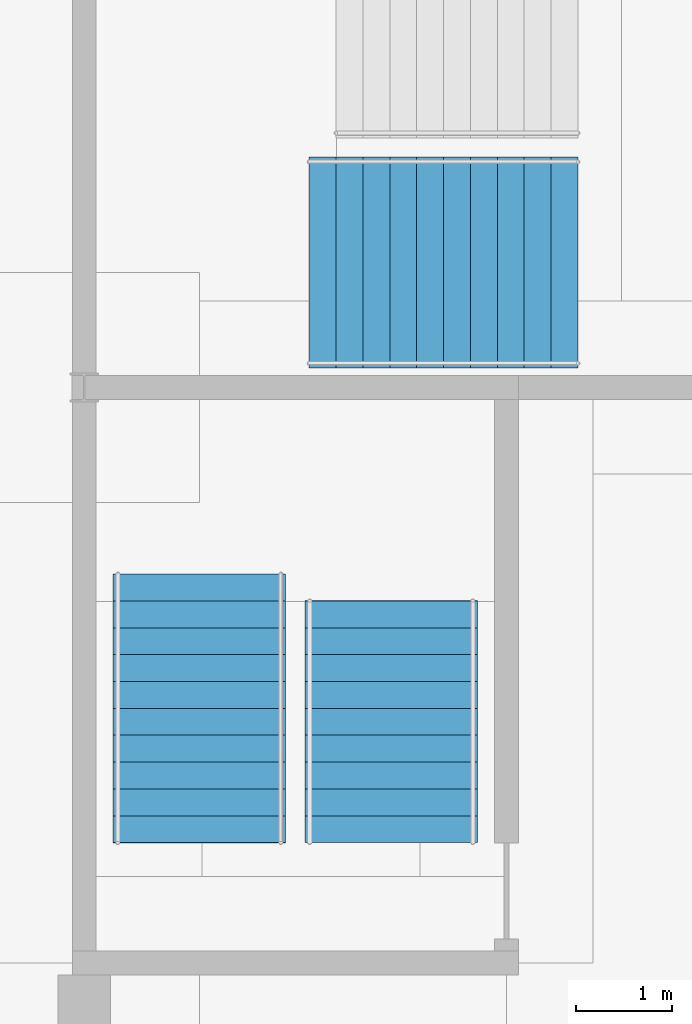
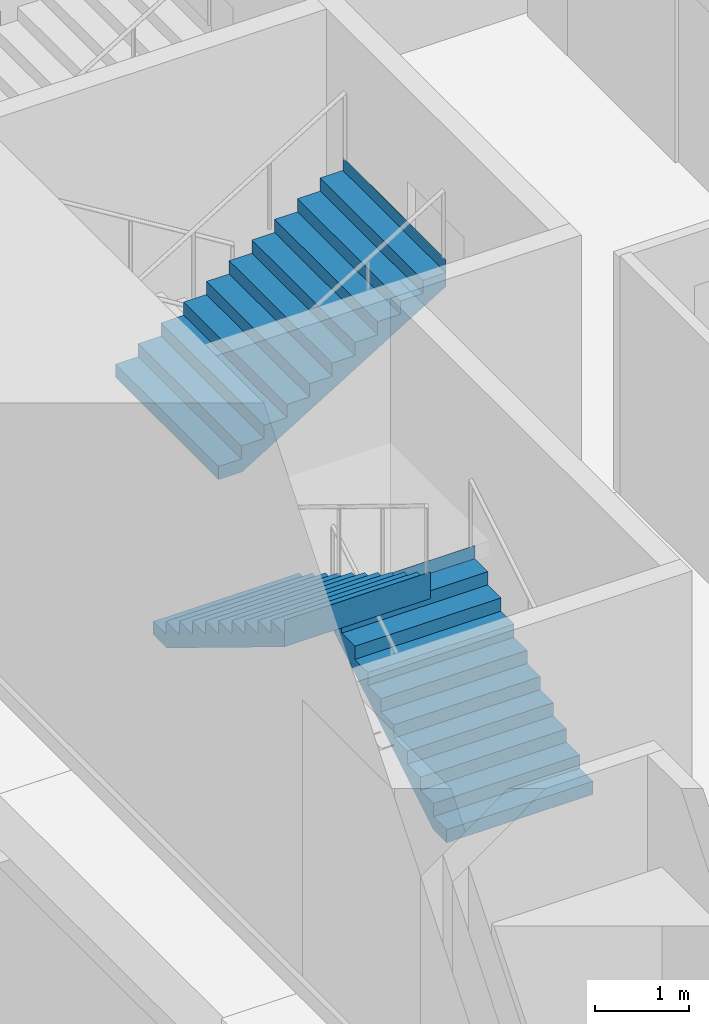
# One storey, part 94 of 148: 3 stair flights, 2 elements without a shape of their own.
"""IFC4 building model written with IfcOpenShell, lengths in metres."""

from ifc_helpers import new_model, si_unit, direction, frame, origin, place, context, subcontext, project, spatial, polyline, outline, extrude, material, type_object, element, aggregate, save


model = new_model("IFC4")

# Units and contexts
model_context = context("Model", 3, precision=1e-05, world=origin(), true_north=direction((0.0, 1.0)))
body_context = subcontext(model_context, "Body", "Model", "MODEL_VIEW")
ifc_project = project(units=[si_unit("LENGTHUNIT", "METRE"), si_unit("AREAUNIT", "SQUARE_METRE"), si_unit("VOLUMEUNIT", "CUBIC_METRE"), si_unit("PLANEANGLEUNIT", "RADIAN"), si_unit("MASSUNIT", "GRAM", prefix="KILO")], contexts=[model_context])

# Site, building, storey
site_placement = place(None, origin())
site = spatial("IfcSite", under=ifc_project, at=site_placement, CompositionType="ELEMENT")
building_placement = place(site_placement, origin())
building = spatial("IfcBuilding", under=site, at=building_placement, Name="Kupolbacken Congress Centre", CompositionType="ELEMENT")
storey_placement = place(building_placement, origin())
storey = spatial("IfcBuildingStorey", under=building, at=storey_placement, Name="L00", CompositionType="ELEMENT", Elevation=0.0)

# Stair, stair flight
ifc_material_1 = material(Name="Concrete C30/37", Category="concrete")
stair_type_1 = type_object("IfcStairType", Name="ST13 stair 2200", PredefinedType="TWO_STRAIGHT_RUN_STAIR", material=ifc_material_1)
stair_1_placement = place(storey_placement, origin())
stair_1 = element("IfcStair", 1, at=stair_1_placement, inside=storey, type_object=stair_type_1, Name="C/stair/PS1SW/L00", PredefinedType="NOTDEFINED")
ifc_material_2 = material(Name="Concrete C30/37", Category="concrete")
stair_flight_type_1 = type_object("IfcStairFlightType", Name="FL14 stair flight 2200 x 11 risers", PredefinedType="STRAIGHT", material=ifc_material_2)
stair_flight_1_placement = place(storey_placement, frame((9.544921875, 51.699951171875, 1.71435546875), z_axis=(0.0, 0.0, 1.0), x_axis=(1.0, 0.0, 0.0)))
stair_flight_1 = element("IfcStairFlight", 2, at=stair_flight_1_placement, type_object=stair_flight_type_1, Name="PS1SW flight 2", NumberOfRisers=11, NumberOfTreads=10, PredefinedType="STRAIGHT", RiserHeight=0.171428571, TreadLength=0.28, context=body_context, shape_type="SweptSolid", body=[
    extrude(outline(polyline([(0.0, 0.0), (0.0, 0.0009765625), (0.0, 0.002197265625), (0.0, 0.003173828125), (0.0, 0.004150390625), (0.0, 0.00537109375), (0.0, 0.00634765625), (0.0, 0.007568359375), (0.0, 0.008544921875), (0.0, 0.009521484375), (0.0, 0.0107421875), (0.0, 0.01171875), (0.0, 0.0126953125), (0.0, 0.013916015625), (0.0, 0.014892578125), (0.0, 0.015869140625), (0.0, 0.01708984375), (0.0, 0.01806640625), (0.0, 0.019287109375), (0.0, 0.020263671875), (0.0, 0.021240234375), (0.0, 0.0224609375), (0.0, 0.0234375), (0.0, 0.0244140625), (0.0, 0.025634765625), (0.0, 0.026611328125), (0.0, 0.027587890625), (0.0, 0.02880859375), (0.0, 0.02978515625), (0.0, 0.03076171875), (0.0, 0.031982421875), (0.0, 0.032958984375), (0.0, 0.0341796875), (0.0, 0.03515625), (0.0, 0.0361328125), (0.0, 0.037353515625), (0.0, 0.038330078125), (0.0, 0.039306640625), (0.0, 0.04052734375), (0.0, 0.04150390625), (0.0, 0.04248046875), (0.0, 0.043701171875), (0.0, 0.044677734375), (0.0, 0.0458984375), (0.0, 0.046875), (0.0, 0.0478515625), (0.0, 0.049072265625), (0.0, 0.050048828125), (0.0, 0.051025390625), (0.0, 0.05224609375), (0.0, 0.05322265625), (0.0, 0.05419921875), (0.0, 0.055419921875), (0.0, 0.056396484375), (0.0, 0.0576171875), (0.0, 0.05859375), (0.0, 0.0595703125), (0.0, 0.060791015625), (0.0, 0.061767578125), (0.0, 0.062744140625), (0.0, 0.06396484375), (0.0, 0.06494140625), (0.0, 0.06591796875), (0.0, 0.067138671875), (0.0, 0.068115234375), (0.0, 0.069091796875), (0.0, 0.0703125), (0.0, 0.0712890625), (0.0, 0.072509765625), (0.0, 0.073486328125), (0.0, 0.074462890625), (0.0, 0.07568359375), (0.0, 0.07666015625), (0.0, 0.07763671875), (0.0, 0.078857421875), (0.0, 0.079833984375), (0.0, 0.080810546875), (0.0, 0.08203125), (0.0, 0.0830078125), (0.0, 0.084228515625), (0.0, 0.085205078125), (0.0, 0.086181640625), (0.0, 0.08740234375), (0.0, 0.08837890625), (0.0, 0.08935546875), (0.0, 0.090576171875), (0.0, 0.091552734375), (0.0, 0.092529296875), (0.0, 0.09375), (0.0, 0.0947265625), (0.0, 0.095947265625), (0.0, 0.096923828125), (0.0, 0.097900390625), (0.0, 0.09912109375), (0.0, 0.10009765625), (0.0, 0.10107421875), (0.0, 0.102294921875), (0.0, 0.103271484375), (0.0, 0.104248046875), (0.0, 0.10546875), (0.0, 0.1064453125), (0.0, 0.107421875), (0.0, 0.108642578125), (0.0, 0.109619140625), (0.0, 0.11083984375), (0.0, 0.11181640625), (0.0, 0.11279296875), (0.0, 0.114013671875), (0.0, 0.114990234375), (0.0, 0.115966796875), (0.0, 0.1171875), (0.0, 0.1181640625), (0.0, 0.119140625), (0.0, 0.120361328125), (0.0, 0.121337890625), (0.0, 0.12255859375), (0.0, 0.12353515625), (0.0, 0.12451171875), (0.0, 0.125732421875), (0.0, 0.126708984375), (0.0, 0.127685546875), (0.0, 0.12890625), (0.0, 0.1298828125), (0.0, 0.130859375), (0.0, 0.132080078125), (0.0, 0.133056640625), (0.0, 0.13427734375), (0.0, 0.13525390625), (0.0, 0.13623046875), (0.0, 0.137451171875), (0.0, 0.138427734375), (0.0, 0.139404296875), (0.0, 0.140625), (0.0, 0.1416015625), (0.0, 0.142578125), (0.0, 0.143798828125), (0.0, 0.144775390625), (0.0, 0.145751953125), (0.0, 0.14697265625), (0.0, 0.14794921875), (0.0, 0.149169921875), (0.0, 0.150146484375), (0.0, 0.151123046875), (0.0, 0.15234375), (0.0, 0.1533203125), (0.0, 0.154296875), (0.0, 0.155517578125), (0.0, 0.156494140625), (0.0, 0.157470703125), (0.0, 0.15869140625), (0.0, 0.15966796875), (0.0, 0.160888671875), (0.0, 0.161865234375), (0.0, 0.162841796875), (0.0, 0.1640625), (0.0, 0.1650390625), (0.0, 0.166015625), (0.0, 0.167236328125), (0.0, 0.168212890625), (0.0, 0.169189453125), (0.0, 0.17041015625), (0.0, 0.17138671875), (0.280029296875, 0.17138671875), (0.280029296875, 0.3427734375), (0.56005859375, 0.3427734375), (0.56005859375, 0.514404296875), (0.840087890625, 0.514404296875), (0.840087890625, 0.685791015625), (1.1201171875, 0.685791015625), (1.1201171875, 0.857177734375), (1.39990234375, 0.857177734375), (1.39990234375, 1.028564453125), (1.679931640625, 1.028564453125), (1.679931640625, 1.199951171875), (1.9599609375, 1.199951171875), (1.9599609375, 1.371337890625), (2.239990234375, 1.371337890625), (2.239990234375, 1.54296875), (2.52001953125, 1.54296875), (2.52001953125, 1.71435546875), (2.800048828125, 1.71435546875), (2.800048828125, 1.8857421875), (2.802001953125, 1.8857421875), (2.802001953125, 1.883544921875), (2.802001953125, 1.88134765625), (2.802001953125, 1.879150390625), (2.802001953125, 1.877197265625), (2.802001953125, 1.875), (2.802001953125, 1.872802734375), (2.802001953125, 1.87060546875), (2.802001953125, 1.868408203125), (2.802001953125, 1.8662109375), (2.802001953125, 1.8642578125), (2.802001953125, 1.862060546875), (2.802001953125, 1.85986328125), (2.802001953125, 1.857666015625), (2.802001953125, 1.85546875), (2.802001953125, 1.853271484375), (2.802001953125, 1.851318359375), (2.802001953125, 1.84912109375), (2.802001953125, 1.846923828125), (2.802001953125, 1.8447265625), (2.802001953125, 1.842529296875), (2.802001953125, 1.84033203125), (2.802001953125, 1.83837890625), (2.802001953125, 1.836181640625), (2.802001953125, 1.833984375), (2.802001953125, 1.831787109375), (2.802001953125, 1.82958984375), (2.802001953125, 1.827392578125), (2.802001953125, 1.825439453125), (2.802001953125, 1.8232421875), (2.802001953125, 1.821044921875), (2.802001953125, 1.81884765625), (2.802001953125, 1.816650390625), (2.802001953125, 1.814453125), (2.802001953125, 1.8125), (2.802001953125, 1.810302734375), (2.802001953125, 1.80810546875), (2.802001953125, 1.805908203125), (2.802001953125, 1.8037109375), (2.802001953125, 1.801513671875), (2.802001953125, 1.799560546875), (2.802001953125, 1.79736328125), (2.802001953125, 1.795166015625), (2.802001953125, 1.79296875), (2.802001953125, 1.790771484375), (2.802001953125, 1.78857421875), (2.802001953125, 1.78662109375), (2.802001953125, 1.784423828125), (2.802001953125, 1.7822265625), (2.802001953125, 1.780029296875), (2.802001953125, 1.77783203125), (2.802001953125, 1.775634765625), (2.802001953125, 1.773681640625), (2.802001953125, 1.771484375), (2.802001953125, 1.769287109375), (2.802001953125, 1.76708984375), (2.802001953125, 1.764892578125), (2.802001953125, 1.7626953125), (2.802001953125, 1.7607421875), (2.802001953125, 1.758544921875), (2.802001953125, 1.75634765625), (2.802001953125, 1.754150390625), (2.802001953125, 1.751953125), (2.802001953125, 1.749755859375), (2.802001953125, 1.747802734375), (2.802001953125, 1.74560546875), (2.802001953125, 1.743408203125), (2.802001953125, 1.7412109375), (2.802001953125, 1.739013671875), (2.802001953125, 1.73681640625), (2.802001953125, 1.73486328125), (2.802001953125, 1.732666015625), (2.802001953125, 1.73046875), (2.802001953125, 1.728271484375), (2.802001953125, 1.72607421875), (2.802001953125, 1.723876953125), (2.802001953125, 1.721923828125), (2.802001953125, 1.7197265625), (2.802001953125, 1.717529296875), (2.802001953125, 1.71533203125), (2.802001953125, 1.713134765625), (2.802001953125, 1.7109375), (2.802001953125, 1.708984375), (2.802001953125, 1.706787109375), (2.802001953125, 1.70458984375), (2.802001953125, 1.702392578125), (2.802001953125, 1.7001953125), (2.802001953125, 1.697998046875), (2.802001953125, 1.696044921875), (2.802001953125, 1.69384765625), (2.802001953125, 1.691650390625), (2.802001953125, 1.689453125), (2.802001953125, 1.687255859375), (2.802001953125, 1.68505859375), (2.802001953125, 1.68310546875), (2.802001953125, 1.680908203125), (2.802001953125, 1.6787109375), (2.802001953125, 1.676513671875), (2.802001953125, 1.67431640625), (2.802001953125, 1.672119140625), (2.802001953125, 1.670166015625), (2.802001953125, 1.66796875), (2.802001953125, 1.665771484375), (2.802001953125, 1.66357421875), (2.802001953125, 1.661376953125), (2.802001953125, 1.6591796875), (2.802001953125, 1.6572265625), (2.802001953125, 1.655029296875), (2.802001953125, 1.65283203125), (2.802001953125, 1.650634765625), (2.802001953125, 1.6484375), (2.802001953125, 1.646240234375), (2.802001953125, 1.644287109375), (2.802001953125, 1.64208984375), (2.802001953125, 1.639892578125), (2.802001953125, 1.6376953125), (2.802001953125, 1.635498046875), (2.802001953125, 1.63330078125), (2.802001953125, 1.63134765625), (2.802001953125, 1.629150390625), (2.802001953125, 1.626953125), (2.802001953125, 1.624755859375), (2.802001953125, 1.62255859375), (2.802001953125, 1.620361328125), (2.802001953125, 1.618408203125), (2.802001953125, 1.6162109375), (2.802001953125, 1.614013671875), (2.802001953125, 1.61181640625), (2.802001953125, 1.609619140625), (2.802001953125, 1.607421875), (2.802001953125, 1.60546875), (2.802001953125, 1.603271484375), (2.802001953125, 1.60107421875), (2.802001953125, 1.598876953125), (2.802001953125, 1.5966796875), (2.802001953125, 1.594482421875), (2.802001953125, 1.592529296875), (2.802001953125, 1.59033203125), (2.802001953125, 1.588134765625), (2.802001953125, 1.5859375), (2.802001953125, 1.583740234375), (2.802001953125, 1.58154296875), (2.802001953125, 1.57958984375), (2.802001953125, 1.577392578125), (2.802001953125, 1.5751953125), (2.802001953125, 1.572998046875), (2.802001953125, 1.57080078125), (2.802001953125, 1.568603515625), (2.802001953125, 1.566650390625), (2.802001953125, 1.564453125), (2.802001953125, 1.562255859375), (2.802001953125, 1.56005859375), (2.802001953125, 1.557861328125), (2.802001953125, 1.5556640625), (2.802001953125, 1.5537109375), (2.802001953125, 1.551513671875), (2.802001953125, 1.54931640625), (2.802001953125, 1.547119140625), (2.802001953125, 1.544921875), (2.802001953125, 1.542724609375), (2.802001953125, 1.540771484375), (2.802001953125, 1.53857421875), (0.2890625, 0.0), (0.0, 0.0)])), frame((0.0, 1.10009765625, 0.0), z_axis=(0.0, -1.0, 0.0), x_axis=(1.0, 0.0, 0.0)), (0.0, 0.0, 1.0), 2.199951171875),
])
aggregate(stair_1, [stair_flight_1])

# Stair, stair flights
ifc_material_3 = material(Name="Steel S355", Category="steel")
stair_type_2 = type_object("IfcStairType", Name="ST3 stair 1800", PredefinedType="TWO_STRAIGHT_RUN_STAIR", material=ifc_material_3)
stair_2_placement = place(storey_placement, origin())
stair_2 = element("IfcStair", 3, at=stair_2_placement, inside=storey, type_object=stair_type_2, Name="C/stair/FS2W/L00", PredefinedType="NOTDEFINED")
ifc_material_4 = material(Name="Steel S355", Category="steel")
stair_flight_type_2 = type_object("IfcStairFlightType", Name="FL5 stair flight 1800 x 10 risers", PredefinedType="STRAIGHT", material=ifc_material_4)
stair_flight_2_placement = place(storey_placement, frame((10.39990234375, 45.655029296875, 0.0), z_axis=(0.0, 0.0, 1.0), x_axis=(0.0, 1.0, 0.0)))
stair_flight_2 = element("IfcStairFlight", 4, at=stair_flight_2_placement, type_object=stair_flight_type_2, Name="FS2W flight 1", NumberOfRisers=10, NumberOfTreads=9, PredefinedType="STRAIGHT", RiserHeight=0.171428571, TreadLength=0.28, context=body_context, shape_type="SweptSolid", body=[
    extrude(outline(polyline([(0.0, 0.0), (0.0, 0.0009765625), (0.0, 0.002197265625), (0.0, 0.003173828125), (0.0, 0.004150390625), (0.0, 0.00537109375), (0.0, 0.00634765625), (0.0, 0.007568359375), (0.0, 0.008544921875), (0.0, 0.009521484375), (0.0, 0.0107421875), (0.0, 0.01171875), (0.0, 0.0126953125), (0.0, 0.013916015625), (0.0, 0.014892578125), (0.0, 0.015869140625), (0.0, 0.01708984375), (0.0, 0.01806640625), (0.0, 0.019287109375), (0.0, 0.020263671875), (0.0, 0.021240234375), (0.0, 0.0224609375), (0.0, 0.0234375), (0.0, 0.0244140625), (0.0, 0.025634765625), (0.0, 0.026611328125), (0.0, 0.027587890625), (0.0, 0.02880859375), (0.0, 0.02978515625), (0.0, 0.03076171875), (0.0, 0.031982421875), (0.0, 0.032958984375), (0.0, 0.0341796875), (0.0, 0.03515625), (0.0, 0.0361328125), (0.0, 0.037353515625), (0.0, 0.038330078125), (0.0, 0.039306640625), (0.0, 0.04052734375), (0.0, 0.04150390625), (0.0, 0.04248046875), (0.0, 0.043701171875), (0.0, 0.044677734375), (0.0, 0.0458984375), (0.0, 0.046875), (0.0, 0.0478515625), (0.0, 0.049072265625), (0.0, 0.050048828125), (0.0, 0.051025390625), (0.0, 0.05224609375), (0.0, 0.05322265625), (0.0, 0.05419921875), (0.0, 0.055419921875), (0.0, 0.056396484375), (0.0, 0.0576171875), (0.0, 0.05859375), (0.0, 0.0595703125), (0.0, 0.060791015625), (0.0, 0.061767578125), (0.0, 0.062744140625), (0.0, 0.06396484375), (0.0, 0.06494140625), (0.0, 0.06591796875), (0.0, 0.067138671875), (0.0, 0.068115234375), (0.0, 0.069091796875), (0.0, 0.0703125), (0.0, 0.0712890625), (0.0, 0.072509765625), (0.0, 0.073486328125), (0.0, 0.074462890625), (0.0, 0.07568359375), (0.0, 0.07666015625), (0.0, 0.07763671875), (0.0, 0.078857421875), (0.0, 0.079833984375), (0.0, 0.080810546875), (0.0, 0.08203125), (0.0, 0.0830078125), (0.0, 0.084228515625), (0.0, 0.085205078125), (0.0, 0.086181640625), (0.0, 0.08740234375), (0.0, 0.08837890625), (0.0, 0.08935546875), (0.0, 0.090576171875), (0.0, 0.091552734375), (0.0, 0.092529296875), (0.0, 0.09375), (0.0, 0.0947265625), (0.0, 0.095947265625), (0.0, 0.096923828125), (0.0, 0.097900390625), (0.0, 0.09912109375), (0.0, 0.10009765625), (0.0, 0.10107421875), (0.0, 0.102294921875), (0.0, 0.103271484375), (0.0, 0.104248046875), (0.0, 0.10546875), (0.0, 0.1064453125), (0.0, 0.107421875), (0.0, 0.108642578125), (0.0, 0.109619140625), (0.0, 0.11083984375), (0.0, 0.11181640625), (0.0, 0.11279296875), (0.0, 0.114013671875), (0.0, 0.114990234375), (0.0, 0.115966796875), (0.0, 0.1171875), (0.0, 0.1181640625), (0.0, 0.119140625), (0.0, 0.120361328125), (0.0, 0.121337890625), (0.0, 0.12255859375), (0.0, 0.12353515625), (0.0, 0.12451171875), (0.0, 0.125732421875), (0.0, 0.126708984375), (0.0, 0.127685546875), (0.0, 0.12890625), (0.0, 0.1298828125), (0.0, 0.130859375), (0.0, 0.132080078125), (0.0, 0.133056640625), (0.0, 0.13427734375), (0.0, 0.13525390625), (0.0, 0.13623046875), (0.0, 0.137451171875), (0.0, 0.138427734375), (0.0, 0.139404296875), (0.0, 0.140625), (0.0, 0.1416015625), (0.0, 0.142578125), (0.0, 0.143798828125), (0.0, 0.144775390625), (0.0, 0.145751953125), (0.0, 0.14697265625), (0.0, 0.14794921875), (0.0, 0.149169921875), (0.0, 0.150146484375), (0.0, 0.151123046875), (0.0, 0.15234375), (0.0, 0.1533203125), (0.0, 0.154296875), (0.0, 0.155517578125), (0.0, 0.156494140625), (0.0, 0.157470703125), (0.0, 0.15869140625), (0.0, 0.15966796875), (0.0, 0.160888671875), (0.0, 0.161865234375), (0.0, 0.162841796875), (0.0, 0.1640625), (0.0, 0.1650390625), (0.0, 0.166015625), (0.0, 0.167236328125), (0.0, 0.168212890625), (0.0, 0.169189453125), (0.0, 0.17041015625), (0.0, 0.17138671875), (0.280029296875, 0.17138671875), (0.280029296875, 0.3427734375), (0.56005859375, 0.3427734375), (0.56005859375, 0.514404296875), (0.840087890625, 0.514404296875), (0.840087890625, 0.685791015625), (1.1201171875, 0.685791015625), (1.1201171875, 0.857177734375), (1.39990234375, 0.857177734375), (1.39990234375, 1.028564453125), (1.679931640625, 1.028564453125), (1.679931640625, 1.199951171875), (1.9599609375, 1.199951171875), (1.9599609375, 1.371337890625), (2.239990234375, 1.371337890625), (2.239990234375, 1.54296875), (2.52001953125, 1.54296875), (2.52001953125, 1.71435546875), (2.52197265625, 1.71435546875), (2.52197265625, 1.712158203125), (2.52197265625, 1.7099609375), (2.52197265625, 1.707763671875), (2.52197265625, 1.70556640625), (2.52197265625, 1.70361328125), (2.52197265625, 1.701416015625), (2.52197265625, 1.69921875), (2.52197265625, 1.697021484375), (2.52197265625, 1.69482421875), (2.52197265625, 1.692626953125), (2.52197265625, 1.690673828125), (2.52197265625, 1.6884765625), (2.52197265625, 1.686279296875), (2.52197265625, 1.68408203125), (2.52197265625, 1.681884765625), (2.52197265625, 1.6796875), (2.52197265625, 1.677734375), (2.52197265625, 1.675537109375), (2.52197265625, 1.67333984375), (2.52197265625, 1.671142578125), (2.52197265625, 1.6689453125), (2.52197265625, 1.666748046875), (2.52197265625, 1.664794921875), (2.52197265625, 1.66259765625), (2.52197265625, 1.660400390625), (2.52197265625, 1.658203125), (2.52197265625, 1.656005859375), (2.52197265625, 1.65380859375), (2.52197265625, 1.65185546875), (2.52197265625, 1.649658203125), (2.52197265625, 1.6474609375), (2.52197265625, 1.645263671875), (2.52197265625, 1.64306640625), (2.52197265625, 1.640869140625), (2.52197265625, 1.638916015625), (2.52197265625, 1.63671875), (2.52197265625, 1.634521484375), (2.52197265625, 1.63232421875), (2.52197265625, 1.630126953125), (2.52197265625, 1.6279296875), (2.52197265625, 1.6259765625), (2.52197265625, 1.623779296875), (2.52197265625, 1.62158203125), (2.52197265625, 1.619384765625), (2.52197265625, 1.6171875), (2.52197265625, 1.614990234375), (2.52197265625, 1.613037109375), (2.52197265625, 1.61083984375), (2.52197265625, 1.608642578125), (2.52197265625, 1.6064453125), (2.52197265625, 1.604248046875), (2.52197265625, 1.60205078125), (2.52197265625, 1.60009765625), (2.52197265625, 1.597900390625), (2.52197265625, 1.595703125), (2.52197265625, 1.593505859375), (2.52197265625, 1.59130859375), (2.52197265625, 1.589111328125), (2.52197265625, 1.587158203125), (2.52197265625, 1.5849609375), (2.52197265625, 1.582763671875), (2.52197265625, 1.58056640625), (2.52197265625, 1.578369140625), (2.52197265625, 1.576171875), (2.52197265625, 1.57421875), (2.52197265625, 1.572021484375), (2.52197265625, 1.56982421875), (2.52197265625, 1.567626953125), (2.52197265625, 1.5654296875), (2.52197265625, 1.563232421875), (2.52197265625, 1.561279296875), (2.52197265625, 1.55908203125), (2.52197265625, 1.556884765625), (2.52197265625, 1.5546875), (2.52197265625, 1.552490234375), (2.52197265625, 1.55029296875), (2.52197265625, 1.54833984375), (2.52197265625, 1.546142578125), (2.52197265625, 1.5439453125), (2.52197265625, 1.541748046875), (2.52197265625, 1.53955078125), (2.52197265625, 1.537353515625), (2.52197265625, 1.535400390625), (2.52197265625, 1.533203125), (2.52197265625, 1.531005859375), (2.52197265625, 1.52880859375), (2.52197265625, 1.526611328125), (2.52197265625, 1.5244140625), (2.52197265625, 1.5224609375), (2.52197265625, 1.520263671875), (2.52197265625, 1.51806640625), (2.52197265625, 1.515869140625), (2.52197265625, 1.513671875), (2.52197265625, 1.511474609375), (2.52197265625, 1.509521484375), (2.52197265625, 1.50732421875), (2.52197265625, 1.505126953125), (2.52197265625, 1.5029296875), (2.52197265625, 1.500732421875), (2.52197265625, 1.49853515625), (2.52197265625, 1.49658203125), (2.52197265625, 1.494384765625), (2.52197265625, 1.4921875), (2.52197265625, 1.489990234375), (2.52197265625, 1.48779296875), (2.52197265625, 1.485595703125), (2.52197265625, 1.483642578125), (2.52197265625, 1.4814453125), (2.52197265625, 1.479248046875), (2.52197265625, 1.47705078125), (2.52197265625, 1.474853515625), (2.52197265625, 1.47265625), (2.52197265625, 1.470703125), (2.52197265625, 1.468505859375), (2.52197265625, 1.46630859375), (2.52197265625, 1.464111328125), (2.52197265625, 1.4619140625), (2.52197265625, 1.459716796875), (2.52197265625, 1.457763671875), (2.52197265625, 1.45556640625), (2.52197265625, 1.453369140625), (2.52197265625, 1.451171875), (2.52197265625, 1.448974609375), (2.52197265625, 1.44677734375), (2.52197265625, 1.44482421875), (2.52197265625, 1.442626953125), (2.52197265625, 1.4404296875), (2.52197265625, 1.438232421875), (2.52197265625, 1.43603515625), (2.52197265625, 1.433837890625), (2.52197265625, 1.431884765625), (2.52197265625, 1.4296875), (2.52197265625, 1.427490234375), (2.52197265625, 1.42529296875), (2.52197265625, 1.423095703125), (2.52197265625, 1.4208984375), (2.52197265625, 1.4189453125), (2.52197265625, 1.416748046875), (2.52197265625, 1.41455078125), (2.52197265625, 1.412353515625), (2.52197265625, 1.41015625), (2.52197265625, 1.407958984375), (2.52197265625, 1.406005859375), (2.52197265625, 1.40380859375), (2.52197265625, 1.401611328125), (2.52197265625, 1.3994140625), (2.52197265625, 1.397216796875), (2.52197265625, 1.39501953125), (2.52197265625, 1.39306640625), (2.52197265625, 1.390869140625), (2.52197265625, 1.388671875), (2.52197265625, 1.386474609375), (2.52197265625, 1.38427734375), (2.52197265625, 1.382080078125), (2.52197265625, 1.380126953125), (2.52197265625, 1.3779296875), (2.52197265625, 1.375732421875), (2.52197265625, 1.37353515625), (2.52197265625, 1.371337890625), (2.52197265625, 1.369140625), (2.52197265625, 1.3671875), (0.2890625, 0.0), (0.0, 0.0)])), frame((0.0, 0.89990234375, 0.0), z_axis=(0.0, -1.0, 0.0), x_axis=(1.0, 0.0, 0.0)), (0.0, 0.0, 1.0), 1.800048828125),
])
ifc_material_5 = material(Name="Steel S355", Category="steel")
stair_flight_type_3 = type_object("IfcStairFlightType", Name="FL6 stair flight 1800 x 11 risers", PredefinedType="STRAIGHT", material=ifc_material_5)
stair_flight_3_placement = place(storey_placement, frame((8.39990234375, 48.455078125, 1.71435546875), z_axis=(0.0, 0.0, 1.0), x_axis=(0.0, -1.0, 0.0)))
stair_flight_3 = element("IfcStairFlight", 5, at=stair_flight_3_placement, type_object=stair_flight_type_3, Name="FS2W flight 2", NumberOfRisers=11, NumberOfTreads=10, PredefinedType="STRAIGHT", RiserHeight=0.171428571, TreadLength=0.28, context=body_context, shape_type="SweptSolid", body=[
    extrude(outline(polyline([(0.0, 0.0), (0.0, 0.0009765625), (0.0, 0.002197265625), (0.0, 0.003173828125), (0.0, 0.004150390625), (0.0, 0.00537109375), (0.0, 0.00634765625), (0.0, 0.007568359375), (0.0, 0.008544921875), (0.0, 0.009521484375), (0.0, 0.0107421875), (0.0, 0.01171875), (0.0, 0.0126953125), (0.0, 0.013916015625), (0.0, 0.014892578125), (0.0, 0.015869140625), (0.0, 0.01708984375), (0.0, 0.01806640625), (0.0, 0.019287109375), (0.0, 0.020263671875), (0.0, 0.021240234375), (0.0, 0.0224609375), (0.0, 0.0234375), (0.0, 0.0244140625), (0.0, 0.025634765625), (0.0, 0.026611328125), (0.0, 0.027587890625), (0.0, 0.02880859375), (0.0, 0.02978515625), (0.0, 0.03076171875), (0.0, 0.031982421875), (0.0, 0.032958984375), (0.0, 0.0341796875), (0.0, 0.03515625), (0.0, 0.0361328125), (0.0, 0.037353515625), (0.0, 0.038330078125), (0.0, 0.039306640625), (0.0, 0.04052734375), (0.0, 0.04150390625), (0.0, 0.04248046875), (0.0, 0.043701171875), (0.0, 0.044677734375), (0.0, 0.0458984375), (0.0, 0.046875), (0.0, 0.0478515625), (0.0, 0.049072265625), (0.0, 0.050048828125), (0.0, 0.051025390625), (0.0, 0.05224609375), (0.0, 0.05322265625), (0.0, 0.05419921875), (0.0, 0.055419921875), (0.0, 0.056396484375), (0.0, 0.0576171875), (0.0, 0.05859375), (0.0, 0.0595703125), (0.0, 0.060791015625), (0.0, 0.061767578125), (0.0, 0.062744140625), (0.0, 0.06396484375), (0.0, 0.06494140625), (0.0, 0.06591796875), (0.0, 0.067138671875), (0.0, 0.068115234375), (0.0, 0.069091796875), (0.0, 0.0703125), (0.0, 0.0712890625), (0.0, 0.072509765625), (0.0, 0.073486328125), (0.0, 0.074462890625), (0.0, 0.07568359375), (0.0, 0.07666015625), (0.0, 0.07763671875), (0.0, 0.078857421875), (0.0, 0.079833984375), (0.0, 0.080810546875), (0.0, 0.08203125), (0.0, 0.0830078125), (0.0, 0.084228515625), (0.0, 0.085205078125), (0.0, 0.086181640625), (0.0, 0.08740234375), (0.0, 0.08837890625), (0.0, 0.08935546875), (0.0, 0.090576171875), (0.0, 0.091552734375), (0.0, 0.092529296875), (0.0, 0.09375), (0.0, 0.0947265625), (0.0, 0.095947265625), (0.0, 0.096923828125), (0.0, 0.097900390625), (0.0, 0.09912109375), (0.0, 0.10009765625), (0.0, 0.10107421875), (0.0, 0.102294921875), (0.0, 0.103271484375), (0.0, 0.104248046875), (0.0, 0.10546875), (0.0, 0.1064453125), (0.0, 0.107421875), (0.0, 0.108642578125), (0.0, 0.109619140625), (0.0, 0.11083984375), (0.0, 0.11181640625), (0.0, 0.11279296875), (0.0, 0.114013671875), (0.0, 0.114990234375), (0.0, 0.115966796875), (0.0, 0.1171875), (0.0, 0.1181640625), (0.0, 0.119140625), (0.0, 0.120361328125), (0.0, 0.121337890625), (0.0, 0.12255859375), (0.0, 0.12353515625), (0.0, 0.12451171875), (0.0, 0.125732421875), (0.0, 0.126708984375), (0.0, 0.127685546875), (0.0, 0.12890625), (0.0, 0.1298828125), (0.0, 0.130859375), (0.0, 0.132080078125), (0.0, 0.133056640625), (0.0, 0.13427734375), (0.0, 0.13525390625), (0.0, 0.13623046875), (0.0, 0.137451171875), (0.0, 0.138427734375), (0.0, 0.139404296875), (0.0, 0.140625), (0.0, 0.1416015625), (0.0, 0.142578125), (0.0, 0.143798828125), (0.0, 0.144775390625), (0.0, 0.145751953125), (0.0, 0.14697265625), (0.0, 0.14794921875), (0.0, 0.149169921875), (0.0, 0.150146484375), (0.0, 0.151123046875), (0.0, 0.15234375), (0.0, 0.1533203125), (0.0, 0.154296875), (0.0, 0.155517578125), (0.0, 0.156494140625), (0.0, 0.157470703125), (0.0, 0.15869140625), (0.0, 0.15966796875), (0.0, 0.160888671875), (0.0, 0.161865234375), (0.0, 0.162841796875), (0.0, 0.1640625), (0.0, 0.1650390625), (0.0, 0.166015625), (0.0, 0.167236328125), (0.0, 0.168212890625), (0.0, 0.169189453125), (0.0, 0.17041015625), (0.0, 0.17138671875), (0.280029296875, 0.17138671875), (0.280029296875, 0.3427734375), (0.56005859375, 0.3427734375), (0.56005859375, 0.514404296875), (0.840087890625, 0.514404296875), (0.840087890625, 0.685791015625), (1.1201171875, 0.685791015625), (1.1201171875, 0.857177734375), (1.39990234375, 0.857177734375), (1.39990234375, 1.028564453125), (1.679931640625, 1.028564453125), (1.679931640625, 1.199951171875), (1.9599609375, 1.199951171875), (1.9599609375, 1.371337890625), (2.239990234375, 1.371337890625), (2.239990234375, 1.54296875), (2.52001953125, 1.54296875), (2.52001953125, 1.71435546875), (2.800048828125, 1.71435546875), (2.800048828125, 1.8857421875), (2.802001953125, 1.8857421875), (2.802001953125, 1.883544921875), (2.802001953125, 1.88134765625), (2.802001953125, 1.879150390625), (2.802001953125, 1.877197265625), (2.802001953125, 1.875), (2.802001953125, 1.872802734375), (2.802001953125, 1.87060546875), (2.802001953125, 1.868408203125), (2.802001953125, 1.8662109375), (2.802001953125, 1.8642578125), (2.802001953125, 1.862060546875), (2.802001953125, 1.85986328125), (2.802001953125, 1.857666015625), (2.802001953125, 1.85546875), (2.802001953125, 1.853271484375), (2.802001953125, 1.851318359375), (2.802001953125, 1.84912109375), (2.802001953125, 1.846923828125), (2.802001953125, 1.8447265625), (2.802001953125, 1.842529296875), (2.802001953125, 1.84033203125), (2.802001953125, 1.83837890625), (2.802001953125, 1.836181640625), (2.802001953125, 1.833984375), (2.802001953125, 1.831787109375), (2.802001953125, 1.82958984375), (2.802001953125, 1.827392578125), (2.802001953125, 1.825439453125), (2.802001953125, 1.8232421875), (2.802001953125, 1.821044921875), (2.802001953125, 1.81884765625), (2.802001953125, 1.816650390625), (2.802001953125, 1.814453125), (2.802001953125, 1.8125), (2.802001953125, 1.810302734375), (2.802001953125, 1.80810546875), (2.802001953125, 1.805908203125), (2.802001953125, 1.8037109375), (2.802001953125, 1.801513671875), (2.802001953125, 1.799560546875), (2.802001953125, 1.79736328125), (2.802001953125, 1.795166015625), (2.802001953125, 1.79296875), (2.802001953125, 1.790771484375), (2.802001953125, 1.78857421875), (2.802001953125, 1.78662109375), (2.802001953125, 1.784423828125), (2.802001953125, 1.7822265625), (2.802001953125, 1.780029296875), (2.802001953125, 1.77783203125), (2.802001953125, 1.775634765625), (2.802001953125, 1.773681640625), (2.802001953125, 1.771484375), (2.802001953125, 1.769287109375), (2.802001953125, 1.76708984375), (2.802001953125, 1.764892578125), (2.802001953125, 1.7626953125), (2.802001953125, 1.7607421875), (2.802001953125, 1.758544921875), (2.802001953125, 1.75634765625), (2.802001953125, 1.754150390625), (2.802001953125, 1.751953125), (2.802001953125, 1.749755859375), (2.802001953125, 1.747802734375), (2.802001953125, 1.74560546875), (2.802001953125, 1.743408203125), (2.802001953125, 1.7412109375), (2.802001953125, 1.739013671875), (2.802001953125, 1.73681640625), (2.802001953125, 1.73486328125), (2.802001953125, 1.732666015625), (2.802001953125, 1.73046875), (2.802001953125, 1.728271484375), (2.802001953125, 1.72607421875), (2.802001953125, 1.723876953125), (2.802001953125, 1.721923828125), (2.802001953125, 1.7197265625), (2.802001953125, 1.717529296875), (2.802001953125, 1.71533203125), (2.802001953125, 1.713134765625), (2.802001953125, 1.7109375), (2.802001953125, 1.708984375), (2.802001953125, 1.706787109375), (2.802001953125, 1.70458984375), (2.802001953125, 1.702392578125), (2.802001953125, 1.7001953125), (2.802001953125, 1.697998046875), (2.802001953125, 1.696044921875), (2.802001953125, 1.69384765625), (2.802001953125, 1.691650390625), (2.802001953125, 1.689453125), (2.802001953125, 1.687255859375), (2.802001953125, 1.68505859375), (2.802001953125, 1.68310546875), (2.802001953125, 1.680908203125), (2.802001953125, 1.6787109375), (2.802001953125, 1.676513671875), (2.802001953125, 1.67431640625), (2.802001953125, 1.672119140625), (2.802001953125, 1.670166015625), (2.802001953125, 1.66796875), (2.802001953125, 1.665771484375), (2.802001953125, 1.66357421875), (2.802001953125, 1.661376953125), (2.802001953125, 1.6591796875), (2.802001953125, 1.6572265625), (2.802001953125, 1.655029296875), (2.802001953125, 1.65283203125), (2.802001953125, 1.650634765625), (2.802001953125, 1.6484375), (2.802001953125, 1.646240234375), (2.802001953125, 1.644287109375), (2.802001953125, 1.64208984375), (2.802001953125, 1.639892578125), (2.802001953125, 1.6376953125), (2.802001953125, 1.635498046875), (2.802001953125, 1.63330078125), (2.802001953125, 1.63134765625), (2.802001953125, 1.629150390625), (2.802001953125, 1.626953125), (2.802001953125, 1.624755859375), (2.802001953125, 1.62255859375), (2.802001953125, 1.620361328125), (2.802001953125, 1.618408203125), (2.802001953125, 1.6162109375), (2.802001953125, 1.614013671875), (2.802001953125, 1.61181640625), (2.802001953125, 1.609619140625), (2.802001953125, 1.607421875), (2.802001953125, 1.60546875), (2.802001953125, 1.603271484375), (2.802001953125, 1.60107421875), (2.802001953125, 1.598876953125), (2.802001953125, 1.5966796875), (2.802001953125, 1.594482421875), (2.802001953125, 1.592529296875), (2.802001953125, 1.59033203125), (2.802001953125, 1.588134765625), (2.802001953125, 1.5859375), (2.802001953125, 1.583740234375), (2.802001953125, 1.58154296875), (2.802001953125, 1.57958984375), (2.802001953125, 1.577392578125), (2.802001953125, 1.5751953125), (2.802001953125, 1.572998046875), (2.802001953125, 1.57080078125), (2.802001953125, 1.568603515625), (2.802001953125, 1.566650390625), (2.802001953125, 1.564453125), (2.802001953125, 1.562255859375), (2.802001953125, 1.56005859375), (2.802001953125, 1.557861328125), (2.802001953125, 1.5556640625), (2.802001953125, 1.5537109375), (2.802001953125, 1.551513671875), (2.802001953125, 1.54931640625), (2.802001953125, 1.547119140625), (2.802001953125, 1.544921875), (2.802001953125, 1.542724609375), (2.802001953125, 1.540771484375), (2.802001953125, 1.53857421875), (0.2890625, 0.0), (0.0, 0.0)])), frame((0.0, 0.89990234375, 0.0), z_axis=(0.0, -1.0, 0.0), x_axis=(1.0, 0.0, 0.0)), (0.0, 0.0, 1.0), 1.800048828125),
])
aggregate(stair_2, [stair_flight_2, stair_flight_3])

save(model, "model.ifc")
